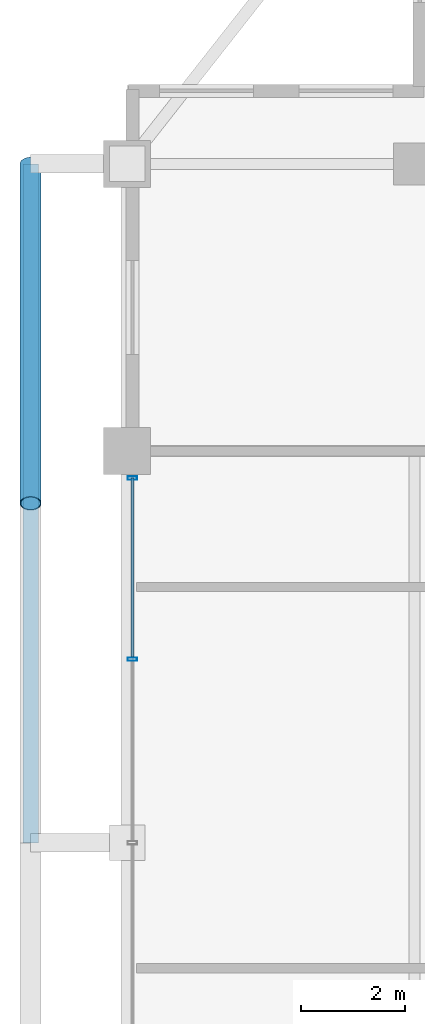
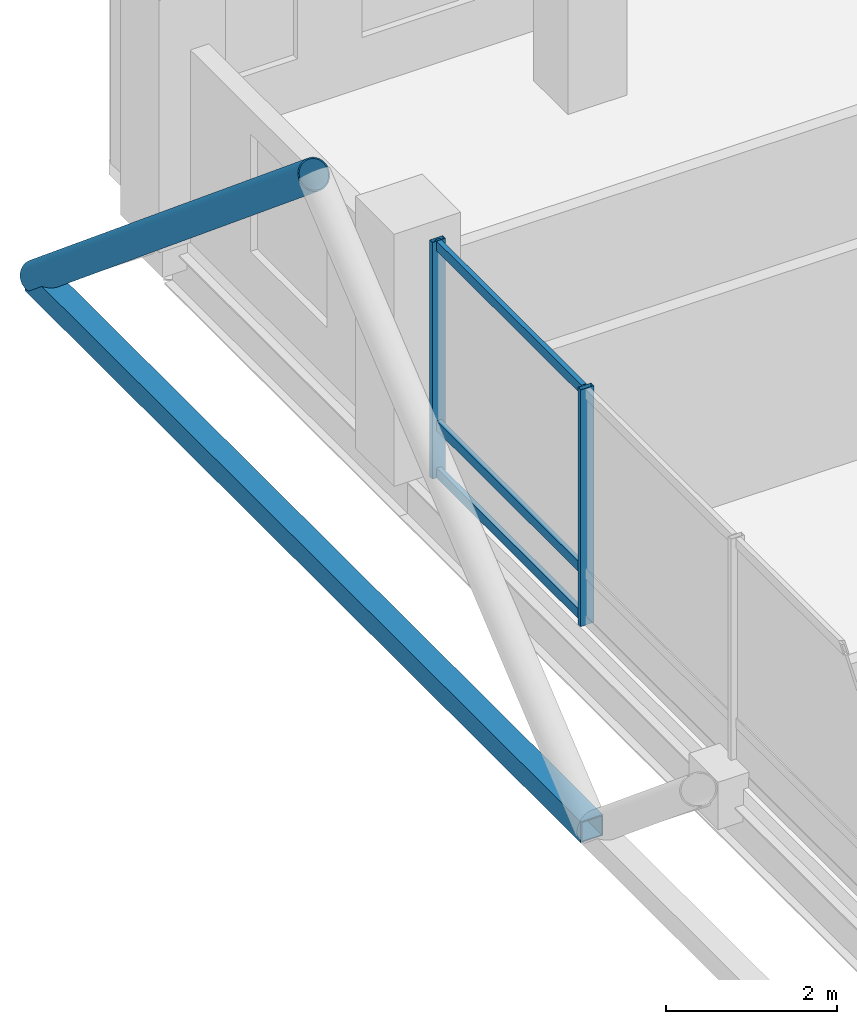
# One storey, part 10 of 24: 7 members, 1 element without a shape of its own.
"""IFC4 building model written with IfcOpenShell, lengths in metres."""

from ifc_helpers import new_model, si_unit, direction, frame, origin, origin_2d, place, context, subcontext, project, spatial, hollow_rectangle, hollow_circle, extrude, material, layer, layer_set, material_profile, profile_set, type_object, element, aggregate, save


model = new_model("IFC4")

# Units and contexts
model_context = context("Model", 3, precision=1e-05, world=origin(), true_north=direction((0.0, 1.0)))
body_context = subcontext(model_context, "Body", "Model", "MODEL_VIEW")
ifc_project = project(units=[si_unit("LENGTHUNIT", "METRE"), si_unit("AREAUNIT", "SQUARE_METRE"), si_unit("VOLUMEUNIT", "CUBIC_METRE"), si_unit("PLANEANGLEUNIT", "RADIAN"), si_unit("MASSUNIT", "GRAM", prefix="KILO")], contexts=[model_context])

# Site, building, storey
site_placement = place(None, origin())
site = spatial("IfcSite", under=ifc_project, at=site_placement, CompositionType="ELEMENT")
building_placement = place(site_placement, origin())
building = spatial("IfcBuilding", under=site, at=building_placement, Name="Barlavira Tower and Art Museum", CompositionType="ELEMENT")
storey_placement = place(building_placement, frame((0.0, 0.0, 240.300048828125)))
storey = spatial("IfcBuildingStorey", under=building, at=storey_placement, Name="L62", CompositionType="ELEMENT", Elevation=240.300048828125)

# Curtain wall, members
ifc_material_1 = material(Name="Low-iron coastal laminated glass", Category="glass")
ifc_layer = layer(ifc_material_1, 0.2099609375, Name="Low-iron coastal laminated glass")
ifc_layer_set = layer_set([ifc_layer], Name="Low-iron coastal laminated glass")
curtain_wall_type = type_object("IfcCurtainWallType", Name="Pale-Metal Unitised Curtain Wall Zone 4", PredefinedType="NOTDEFINED", material=ifc_layer_set)
curtain_wall_placement = place(storey_placement, origin())
curtain_wall = element("IfcCurtainWall", 1, at=curtain_wall_placement, inside=storey, type_object=curtain_wall_type, Name="L62 Curtain Wall CW4-L62-W-B3", PredefinedType="NOTDEFINED")
ifc_material_2 = material(Name="Pale anodised aluminium", Category="aluminium")
ifc_material_profile_1 = material_profile(ifc_material_2, hollow_rectangle(XDim=0.06494140625, YDim=0.179931640625, WallThickness=0.00390625, at=origin_2d()), Name="ALU-MULL 65x180x4")
ifc_profile_set_1 = profile_set([ifc_material_profile_1], Name="Pale anodised aluminium")
member_type_1 = type_object("IfcMemberType", Name="Curtain Wall Pale-Metal Mullion 65x180", PredefinedType="MULLION", material=ifc_profile_set_1)
member_1_placement = place(storey_placement, frame((-16.89990234375, 6.985107421875, 0.0), z_axis=(0.0, 0.0, 1.0), x_axis=(0.0, -1.0, 0.0)))
member_1 = element("IfcMember", 2, at=member_1_placement, type_object=member_type_1, Name="CW4-L62-W-B3 Mullion 0", PredefinedType="MULLION", context=body_context, shape_type="SweptSolid", body=[
    extrude(hollow_rectangle(XDim=0.06494140625, YDim=0.179931640625, WallThickness=0.00390625, at=origin_2d()), origin(), (0.0, 0.0, 1.0), 3.3798828125),
])
member_2_placement = place(storey_placement, frame((-16.89990234375, 3.514892578125, 0.0), z_axis=(0.0, 0.0, 1.0), x_axis=(0.0, -1.0, 0.0)))
member_2 = element("IfcMember", 3, at=member_2_placement, type_object=member_type_1, Name="CW4-L62-W-B3 Mullion 1", PredefinedType="MULLION", context=body_context, shape_type="SweptSolid", body=[
    extrude(hollow_rectangle(XDim=0.06494140625, YDim=0.179931640625, WallThickness=0.00390625, at=origin_2d()), origin(), (0.0, 0.0, 1.0), 3.3798828125),
])
ifc_material_profile_2 = material_profile(ifc_material_2, hollow_rectangle(XDim=0.06494140625, YDim=0.139892578125, WallThickness=0.00390625, at=origin_2d()), Name="ALU-TRAN 65x140x4")
ifc_profile_set_2 = profile_set([ifc_material_profile_2], Name="Pale anodised aluminium")
member_type_2 = type_object("IfcMemberType", Name="Curtain Wall Pale-Metal Transom 65x140", PredefinedType="USERDEFINED", material=ifc_profile_set_2)
member_3_placement = place(storey_placement, frame((-16.89990234375, 6.985107421875, 0.070068359375), z_axis=(0.0, -1.0, 0.0), x_axis=(1.0, 0.0, 0.0)))
member_3 = element("IfcMember", 4, at=member_3_placement, type_object=member_type_2, Name="CW4-L62-W-B3 Transom 0.1", ObjectType="TRANSOM", PredefinedType="USERDEFINED", context=body_context, shape_type="SweptSolid", body=[
    extrude(hollow_rectangle(XDim=0.06494140625, YDim=0.139892578125, WallThickness=0.00390625, at=origin_2d()), origin(), (0.0, 0.0, 1.0), 3.425048828125),
])
member_4_placement = place(storey_placement, frame((-16.89990234375, 6.985107421875, 0.743896484375), z_axis=(0.0, -1.0, 0.0), x_axis=(1.0, 0.0, 0.0)))
member_4 = element("IfcMember", 5, at=member_4_placement, type_object=member_type_2, Name="CW4-L62-W-B3 Transom 0.2", ObjectType="TRANSOM", PredefinedType="USERDEFINED", context=body_context, shape_type="SweptSolid", body=[
    extrude(hollow_rectangle(XDim=0.06494140625, YDim=0.139892578125, WallThickness=0.00390625, at=origin_2d()), origin(), (0.0, 0.0, 1.0), 3.425048828125),
])
member_5_placement = place(storey_placement, frame((-16.89990234375, 6.985107421875, 3.31005859375), z_axis=(0.0, -1.0, 0.0), x_axis=(1.0, 0.0, 0.0)))
member_5 = element("IfcMember", 6, at=member_5_placement, type_object=member_type_2, Name="CW4-L62-W-B3 Transom 0.3", ObjectType="TRANSOM", PredefinedType="USERDEFINED", context=body_context, shape_type="SweptSolid", body=[
    extrude(hollow_rectangle(XDim=0.06494140625, YDim=0.139892578125, WallThickness=0.00390625, at=origin_2d()), origin(), (0.0, 0.0, 1.0), 3.425048828125),
])
aggregate(curtain_wall, [member_1, member_2, member_3, member_4, member_5])

# Members
ifc_material_3 = material(Name="Steel S355", Category="steel")
ifc_material_profile_3 = material_profile(ifc_material_3, hollow_circle(Radius=0.203125, WallThickness=0.01611328125, at=origin_2d()), Name="CHS 406.4x16.0")
ifc_profile_set_3 = profile_set([ifc_material_profile_3], Name="Steel S355")
member_type_3 = type_object("IfcMemberType", Name="Pale-Metal Exoskeleton Diagrid Tube CHS 406x16 Steel S355", PredefinedType="BRACE", material=ifc_profile_set_3)
member_6_placement = place(storey_placement, frame((-18.85009765625, 13.0, -0.1201171875), z_axis=(0.0, -0.76918185268, 0.639029950399), x_axis=(1.0, 0.0, 0.0)))
element("IfcMember", 7, at=member_6_placement, inside=storey, type_object=member_type_3, Name="L62 Exoskeleton Diagrid Tube W", PredefinedType="BRACE", context=body_context, shape_type="SweptSolid", body=[
    extrude(hollow_circle(Radius=0.203125, WallThickness=0.01611328125, at=origin_2d()), origin(), (0.0, 0.0, 1.0), 8.450439453125),
])
ifc_material_profile_4 = material_profile(ifc_material_3, hollow_rectangle(XDim=0.300048828125, YDim=0.300048828125, WallThickness=0.01611328125, at=origin_2d()), Name="SHS 300x300x16.0")
ifc_profile_set_4 = profile_set([ifc_material_profile_4], Name="Steel S355")
member_type_4 = type_object("IfcMemberType", Name="Pale-Metal Upper Ring Strut SHS 300x300x16 Steel S355", PredefinedType="STRUT", material=ifc_profile_set_4)
member_7_placement = place(storey_placement, frame((-18.85009765625, 0.0, -0.1201171875), z_axis=(0.0, 1.0, 0.0), x_axis=(-1.0, 0.0, 0.0)))
element("IfcMember", 8, at=member_7_placement, inside=storey, type_object=member_type_4, Name="L62 Exoskeleton Ring Strut W", PredefinedType="STRUT", context=body_context, shape_type="SweptSolid", body=[
    extrude(hollow_rectangle(XDim=0.300048828125, YDim=0.300048828125, WallThickness=0.01611328125, at=origin_2d()), origin(), (0.0, 0.0, 1.0), 13.0),
])

save(model, "model.ifc")
